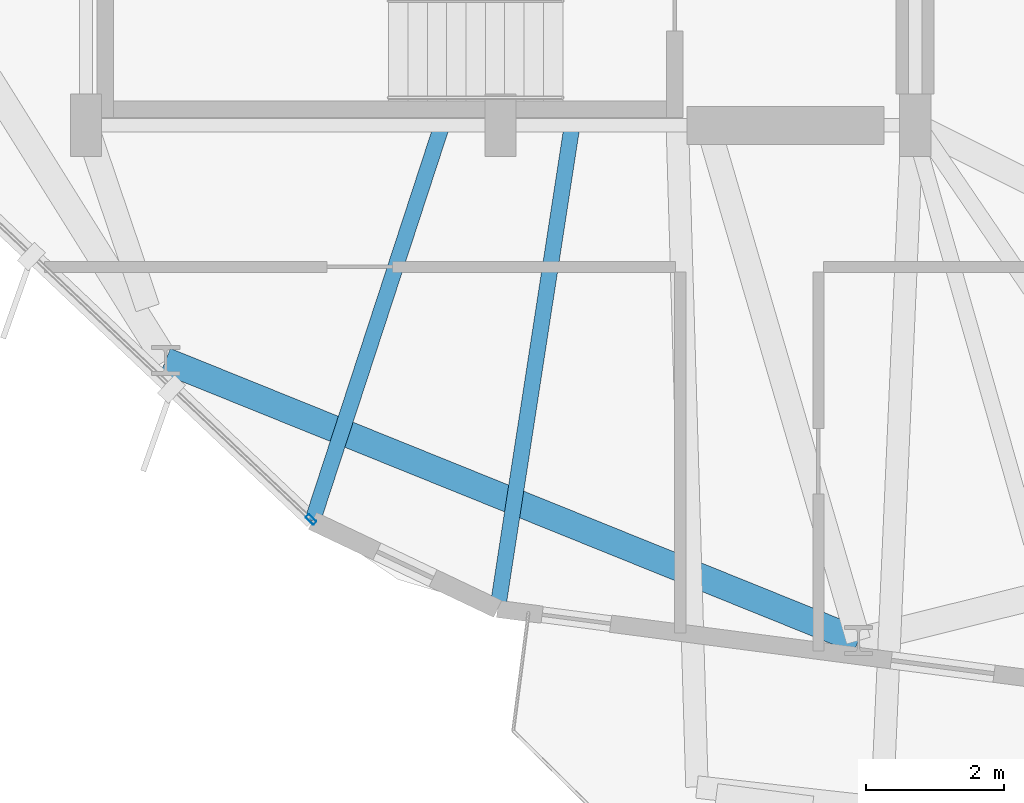
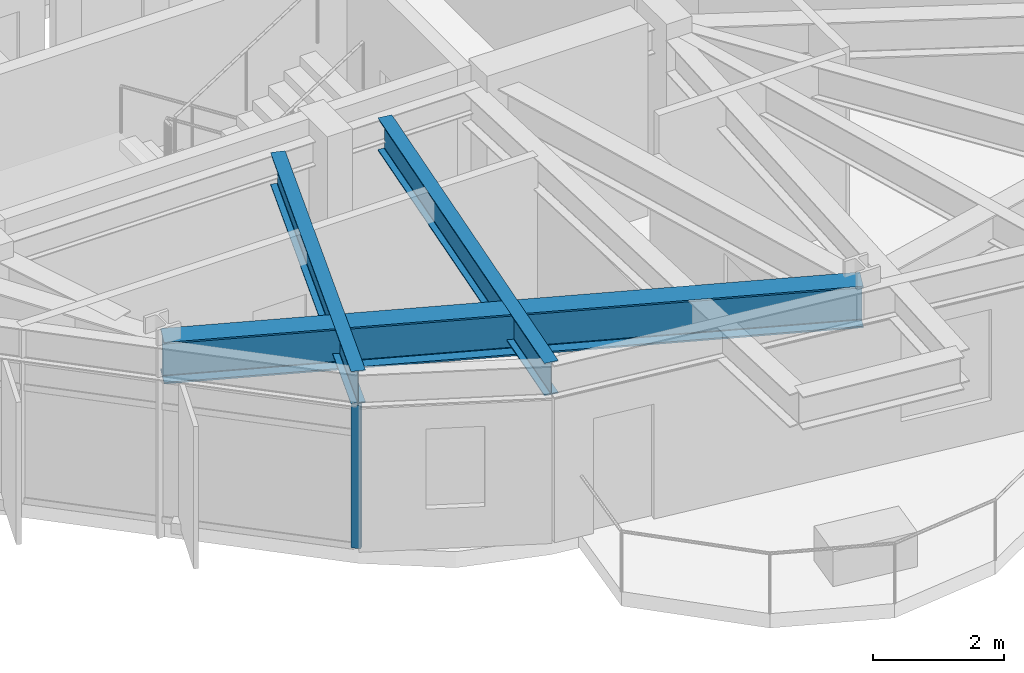
# One storey, part 2 of 23: 3 beams, 1 member, 1 element without a shape of its own.
"""IFC4 building model written with IfcOpenShell, lengths in metres."""

from ifc_helpers import new_model, si_unit, direction, frame, origin, origin_2d, place, context, subcontext, project, spatial, hollow_rectangle, i_section, extrude, material, layer, layer_set, material_profile, profile_set, type_object, element, aggregate, save


model = new_model("IFC4")

# Units and contexts
model_context = context("Model", 3, precision=1e-05, world=origin(), true_north=direction((0.0, 1.0)))
body_context = subcontext(model_context, "Body", "Model", "MODEL_VIEW")
ifc_project = project(units=[si_unit("LENGTHUNIT", "METRE"), si_unit("AREAUNIT", "SQUARE_METRE"), si_unit("VOLUMEUNIT", "CUBIC_METRE"), si_unit("PLANEANGLEUNIT", "RADIAN"), si_unit("MASSUNIT", "GRAM", prefix="KILO")], contexts=[model_context])

# Site, building, storey
site_placement = place(None, origin())
site = spatial("IfcSite", under=ifc_project, at=site_placement, CompositionType="ELEMENT")
building_placement = place(site_placement, origin())
building = spatial("IfcBuilding", under=site, at=building_placement, Name="Soratama Intermodal Tower", CompositionType="ELEMENT")
storey_placement = place(building_placement, frame((0.0, 0.0, 139.0)))
storey = spatial("IfcBuildingStorey", under=building, at=storey_placement, Name="L33", CompositionType="ELEMENT", Elevation=139.0)

# Beams
ifc_material_1 = material(Name="Structural steel ASTM A992 Grade 50", Category="steel")
ifc_material_profile_1 = material_profile(ifc_material_1, i_section(OverallWidth=0.382080078125, OverallDepth=0.779052734375, WebThickness=0.01806640625, FlangeThickness=0.030029296875, FilletRadius=0.01806640625, at=origin_2d()), Name="W30X191")
ifc_profile_set_1 = profile_set([ifc_material_profile_1], Name="Structural steel ASTM A992 Grade 50")
beam_type_1 = type_object("IfcBeamType", Name="BM-RING-W30X191", PredefinedType="BEAM", material=ifc_profile_set_1)
beam_1_placement = place(storey_placement, frame((33.7509765625, 11.593994140625, 2.910400390625), z_axis=(0.927202491827, -0.374560461275, 0.0), x_axis=(0.374560461275, 0.927202491827, 0.0)))
element("IfcBeam", 1, at=beam_1_placement, inside=storey, type_object=beam_type_1, Name="BM-L33-RING-07", PredefinedType="BEAM", context=body_context, shape_type="SweptSolid", body=[
    extrude(i_section(OverallWidth=0.382080078125, OverallDepth=0.779052734375, WebThickness=0.01806640625, FlangeThickness=0.030029296875, FilletRadius=0.01806640625, at=origin_2d()), origin(), (0.0, 0.0, 1.0), 10.8154296875),
])
ifc_material_2 = material(Name="Structural steel ASTM A992 Grade 50", Category="steel")
ifc_material_profile_2 = material_profile(ifc_material_2, i_section(OverallWidth=0.22900390625, OverallDepth=0.612060546875, WebThickness=0.011962890625, FlangeThickness=0.01953125, FilletRadius=0.012939453125, at=origin_2d()), Name="W24X84")
ifc_profile_set_2 = profile_set([ifc_material_profile_2], Name="Structural steel ASTM A992 Grade 50")
beam_type_2 = type_object("IfcBeamType", Name="BM-TIE-W24X84", PredefinedType="BEAM", material=ifc_profile_set_2)
beam_2_placement = place(storey_placement, frame((37.738037109375, 14.9619140625, 2.993896484375), z_axis=(-0.31092177405, -0.950435505661, 0.0), x_axis=(0.950435505661, -0.31092177405, 0.0)))
element("IfcBeam", 2, at=beam_2_placement, inside=storey, type_object=beam_type_2, Name="BM-L33-TIE1-06", PredefinedType="BEAM", context=body_context, shape_type="SweptSolid", body=[
    extrude(i_section(OverallWidth=0.22900390625, OverallDepth=0.612060546875, WebThickness=0.011962890625, FlangeThickness=0.01953125, FilletRadius=0.012939453125, at=origin_2d()), origin(), (0.0, 0.0, 1.0), 5.982666015625),
])
beam_3_placement = place(storey_placement, frame((39.62890625, 14.9599609375, 2.993896484375), z_axis=(-0.152273470468, -0.988338398622, 0.0), x_axis=(0.988338398622, -0.152273470468, 0.0)))
element("IfcBeam", 3, at=beam_3_placement, inside=storey, type_object=beam_type_2, Name="BM-L33-TIE0-07", PredefinedType="BEAM", context=body_context, shape_type="SweptSolid", body=[
    extrude(i_section(OverallWidth=0.22900390625, OverallDepth=0.612060546875, WebThickness=0.011962890625, FlangeThickness=0.01953125, FilletRadius=0.012939453125, at=origin_2d()), origin(), (0.0, 0.0, 1.0), 7.0400390625),
])

# Curtain wall, member
ifc_material_3 = material(Name="Double-glazed aluminium curtain wall", Category="aluminium")
ifc_layer = layer(ifc_material_3, 0.159912109375)
ifc_layer_set = layer_set([ifc_layer], Name="Double-glazed aluminium curtain wall")
curtain_wall_type = type_object("IfcCurtainWallType", Name="CW-SYS-4", PredefinedType="NOTDEFINED", material=ifc_layer_set)
curtain_wall_placement = place(storey_placement, origin())
curtain_wall = element("IfcCurtainWall", 4, at=curtain_wall_placement, inside=storey, type_object=curtain_wall_type, Name="L33 Faceted Curtain Wall F06", PredefinedType="NOTDEFINED")
ifc_material_4 = material(Name="Anodised aluminium AA 6063-T6", Category="aluminium")
ifc_material_profile_3 = material_profile(ifc_material_4, hollow_rectangle(XDim=0.070068359375, YDim=0.159912109375, WallThickness=0.0048828125, InnerFilletRadius=0.0048828125, OuterFilletRadius=0.010009765625, at=origin_2d()), Name="CWM160X70X5")
ifc_profile_set_3 = profile_set([ifc_material_profile_3], Name="Anodised aluminium AA 6063-T6")
member_type = type_object("IfcMemberType", Name="MT-CWM-4", PredefinedType="MULLION", material=ifc_profile_set_3)
member_placement = place(storey_placement, frame((35.85595703125, 9.296630859375, 0.0), z_axis=(0.0, 0.0, 1.0), x_axis=(0.687593964864, 0.726095406598, 0.0)))
member = element("IfcMember", 5, at=member_placement, type_object=member_type, Name="CW-4 mullion 2", PredefinedType="MULLION", context=body_context, shape_type="SweptSolid", body=[
    extrude(hollow_rectangle(XDim=0.070068359375, YDim=0.159912109375, WallThickness=0.0048828125, InnerFilletRadius=0.0048828125, OuterFilletRadius=0.010009765625, at=origin_2d()), origin(), (0.0, 0.0, 1.0), 2.678955078125),
])
aggregate(curtain_wall, [member])

save(model, "model.ifc")
